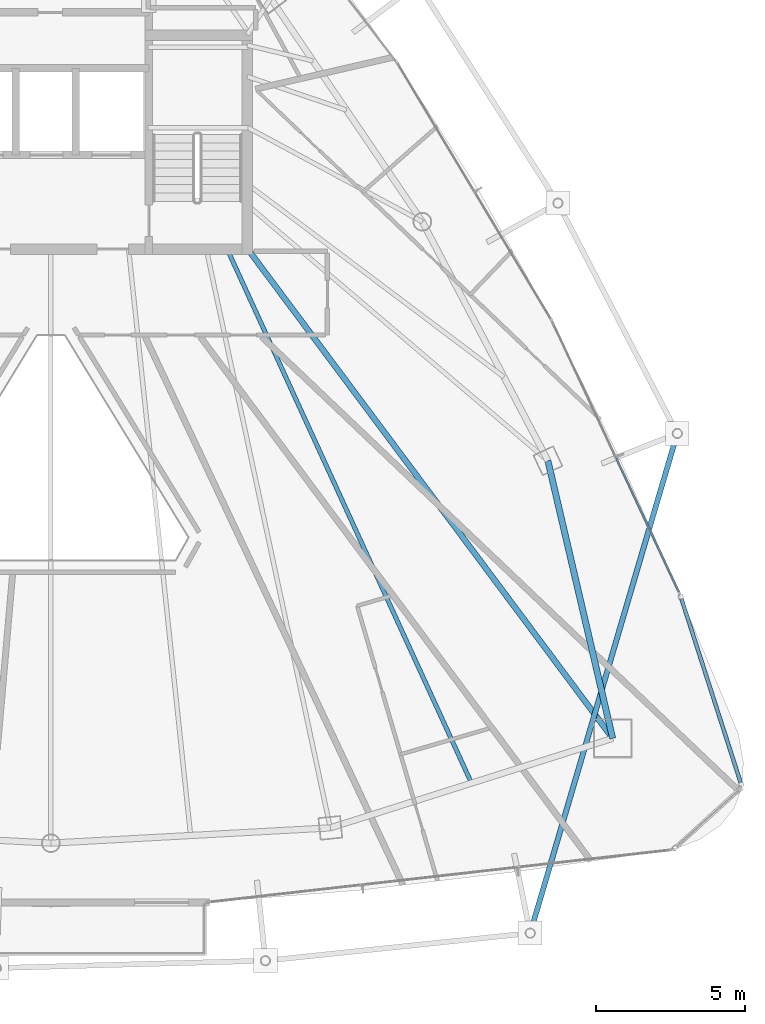
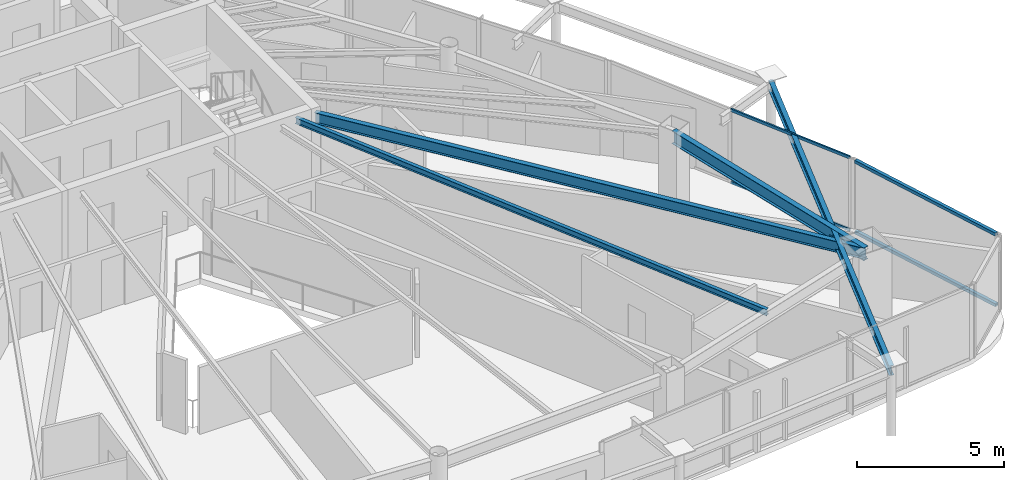
# One storey, part 16 of 32: 4 beams, 4 members, 2 elements without a shape of their own.
"""IFC4 building model written with IfcOpenShell, lengths in metres."""

from ifc_helpers import new_model, si_unit, direction, frame, origin, origin_2d, place, context, subcontext, project, spatial, hollow_rectangle, i_section, extrude, material, layer, layer_set, material_profile, profile_set, type_object, element, aggregate, save


model = new_model("IFC4")

# Units and contexts
model_context = context("Model", 3, precision=1e-05, world=origin(), true_north=direction((0.0, 1.0)))
body_context = subcontext(model_context, "Body", "Model", "MODEL_VIEW")
ifc_project = project(units=[si_unit("LENGTHUNIT", "METRE"), si_unit("AREAUNIT", "SQUARE_METRE"), si_unit("VOLUMEUNIT", "CUBIC_METRE"), si_unit("PLANEANGLEUNIT", "RADIAN"), si_unit("MASSUNIT", "GRAM", prefix="KILO")], contexts=[model_context])

# Site, building, storey
site_placement = place(None, origin())
site = spatial("IfcSite", under=ifc_project, at=site_placement, CompositionType="ELEMENT")
building_placement = place(site_placement, origin())
building = spatial("IfcBuilding", under=site, at=building_placement, Name="Orvanel Arch Residences", CompositionType="ELEMENT")
storey_placement = place(building_placement, frame((0.0, 0.0, 222.800048828125)))
storey = spatial("IfcBuildingStorey", under=building, at=storey_placement, Name="L63", CompositionType="ELEMENT", Elevation=222.800048828125)

# Beams
ifc_material_1 = material(Name="Structural steel AS/NZS 3679.1 Grade 300 (300 MPa)", Category="steel")
ifc_material_profile_1 = material_profile(ifc_material_1, i_section(OverallWidth=0.19091796875, OverallDepth=0.4599609375, WebThickness=0.010009765625, FlangeThickness=0.01611328125, at=origin_2d()), Name="460UB82.1")
ifc_profile_set_1 = profile_set([ifc_material_profile_1], Name="Structural steel AS/NZS 3679.1 Grade 300 (300 MPa)")
beam_type_1 = type_object("IfcBeamType", Name="BG-460UB", PredefinedType="BEAM", material=ifc_profile_set_1)
beam_1_placement = place(storey_placement, frame((39.625, 26.675048828125, 2.829833984375), z_axis=(0.597893733742, -0.801575375839, 0.0), x_axis=(0.801575375839, 0.597893733742, 0.0)))
element("IfcBeam", 1, at=beam_1_placement, inside=storey, type_object=beam_type_1, Name="L63 South-East Radial Girder", PredefinedType="BEAM", context=body_context, shape_type="SweptSolid", body=[
    extrude(i_section(OverallWidth=0.19091796875, OverallDepth=0.4599609375, WebThickness=0.010009765625, FlangeThickness=0.01611328125, at=origin_2d()), origin(), (0.0, 0.0, 1.0), 20.36474609375),
])
ifc_material_profile_2 = material_profile(ifc_material_1, i_section(OverallWidth=0.14599609375, OverallDepth=0.251953125, WebThickness=0.006103515625, FlangeThickness=0.008544921875, at=origin_2d()), Name="250UB31.4")
ifc_profile_set_2 = profile_set([ifc_material_profile_2], Name="Structural steel AS/NZS 3679.1 Grade 300 (300 MPa)")
beam_type_2 = type_object("IfcBeamType", Name="BJ-250UB", PredefinedType="JOIST", material=ifc_profile_set_2)
beam_2_placement = place(storey_placement, frame((38.89990234375, 26.72509765625, 2.933837890625), z_axis=(0.416009574066, -0.909360233508, 0.0), x_axis=(0.909360233508, 0.416009574066, 0.0)))
element("IfcBeam", 2, at=beam_2_placement, inside=storey, type_object=beam_type_2, Name="L63 JADD2 Wing Floor Joist", PredefinedType="JOIST", context=body_context, shape_type="SweptSolid", body=[
    extrude(i_section(OverallWidth=0.14599609375, OverallDepth=0.251953125, WebThickness=0.006103515625, FlangeThickness=0.008544921875, at=origin_2d()), origin(), (0.0, 0.0, 1.0), 19.653564453125),
])
ifc_material_profile_3 = material_profile(ifc_material_1, i_section(OverallWidth=0.177978515625, OverallDepth=0.406005859375, WebThickness=0.0078125, FlangeThickness=0.0126953125, at=origin_2d()), Name="410UB59.7")
ifc_profile_set_3 = profile_set([ifc_material_profile_3], Name="Structural steel AS/NZS 3679.1 Grade 300 (300 MPa)")
beam_type_3 = type_object("IfcBeamType", Name="OB-410UB-EXT", PredefinedType="SPANDREL", material=ifc_profile_set_3)
beam_3_placement = place(storey_placement, frame((49.0400390625, 3.83203125, 2.85693359375), z_axis=(0.282380884619, 0.959302369434, 0.0), x_axis=(-0.959302369434, 0.282380884619, 0.0)))
element("IfcBeam", 3, at=beam_3_placement, inside=storey, type_object=beam_type_3, Name="L63 Outer Perimeter Floor Ring Beam 08", PredefinedType="SPANDREL", context=body_context, shape_type="SweptSolid", body=[
    extrude(i_section(OverallWidth=0.177978515625, OverallDepth=0.406005859375, WebThickness=0.0078125, FlangeThickness=0.0126953125, at=origin_2d()), origin(), (0.0, 0.0, 1.0), 17.433349609375),
])
ifc_material_profile_4 = material_profile(ifc_material_1, i_section(OverallWidth=0.208984375, OverallDepth=0.532958984375, WebThickness=0.01025390625, FlangeThickness=0.015625, at=origin_2d()), Name="530UB92.4")
ifc_profile_set_4 = profile_set([ifc_material_profile_4], Name="Structural steel AS/NZS 3679.1 Grade 300 (300 MPa)")
beam_type_4 = type_object("IfcBeamType", Name="SP-530UB", PredefinedType="SPANDREL", material=ifc_profile_set_4)
beam_4_placement = place(storey_placement, frame((51.801025390625, 10.35107421875, 2.7939453125), z_axis=(-0.227236087167, 0.973839699688, 0.0), x_axis=(-0.973839699688, -0.227236087167, 0.0)))
element("IfcBeam", 4, at=beam_4_placement, inside=storey, type_object=beam_type_4, Name="L63 Perimeter Spandrel Beam 06", PredefinedType="SPANDREL", context=body_context, shape_type="SweptSolid", body=[
    extrude(i_section(OverallWidth=0.208984375, OverallDepth=0.532958984375, WebThickness=0.01025390625, FlangeThickness=0.015625, at=origin_2d()), origin(), (0.0, 0.0, 1.0), 9.54052734375),
])

# Curtain wall, members
ifc_material_2 = material(Name="Bronze-anodised aluminium AA6063-T6", Category="aluminium")
ifc_layer_1 = layer(ifc_material_2, 0.175048828125)
ifc_layer_set_1 = layer_set([ifc_layer_1], Name="Bronze-anodised aluminium AA6063-T6")
curtain_wall_type_1 = type_object("IfcCurtainWallType", Name="CW4-HI-SYS", PredefinedType="NOTDEFINED", material=ifc_layer_set_1)
curtain_wall_1_placement = place(storey_placement, origin())
curtain_wall_1 = element("IfcCurtainWall", 5, at=curtain_wall_1_placement, inside=storey, type_object=curtain_wall_type_1, Name="L63 CW4-HI-SYS Unitised Curtain Wall", PredefinedType="NOTDEFINED")
ifc_material_profile_5 = material_profile(ifc_material_2, hollow_rectangle(XDim=0.06005859375, YDim=0.1201171875, WallThickness=0.00341796875, at=origin_2d()), Name="ALU120x60x3.5")
ifc_profile_set_5 = profile_set([ifc_material_profile_5], Name="Bronze-anodised aluminium AA6063-T6")
member_type_1 = type_object("IfcMemberType", Name="TRN-120x60", PredefinedType="USERDEFINED", material=ifc_profile_set_5)
member_1_placement = place(storey_placement, frame((54.016357421875, 15.2548828125, 0.030029296875), z_axis=(-0.424084210865, 0.905622759263, 0.0), x_axis=(-0.905622759263, -0.424084210865, 0.0)))
member_1 = element("IfcMember", 6, at=member_1_placement, type_object=member_type_1, Name="CW-S4 transom 1.1", ObjectType="TRANSOM", PredefinedType="USERDEFINED", context=body_context, shape_type="SweptSolid", body=[
    extrude(hollow_rectangle(XDim=0.06005859375, YDim=0.1201171875, WallThickness=0.00341796875, at=origin_2d()), origin(), (0.0, 0.0, 1.0), 4.937744140625),
])
member_2_placement = place(storey_placement, frame((54.016357421875, 15.2548828125, 3.030029296875), z_axis=(-0.424084210865, 0.905622759263, 0.0), x_axis=(-0.905622759263, -0.424084210865, 0.0)))
member_2 = element("IfcMember", 7, at=member_2_placement, type_object=member_type_1, Name="CW-S4 transom 1.2", ObjectType="TRANSOM", PredefinedType="USERDEFINED", context=body_context, shape_type="SweptSolid", body=[
    extrude(hollow_rectangle(XDim=0.06005859375, YDim=0.1201171875, WallThickness=0.00341796875, at=origin_2d()), origin(), (0.0, 0.0, 1.0), 4.937744140625),
])
aggregate(curtain_wall_1, [member_1, member_2])

ifc_layer_2 = layer(ifc_material_2, 0.18994140625)
ifc_layer_set_2 = layer_set([ifc_layer_2], Name="Bronze-anodised aluminium AA6063-T6")
curtain_wall_type_2 = type_object("IfcCurtainWallType", Name="CW5-CRN-SYS", PredefinedType="NOTDEFINED", material=ifc_layer_set_2)
curtain_wall_2_placement = place(storey_placement, origin())
curtain_wall_2 = element("IfcCurtainWall", 8, at=curtain_wall_2_placement, inside=storey, type_object=curtain_wall_type_2, Name="L63 CW5-CRN-SYS Unitised Curtain Wall", PredefinedType="NOTDEFINED")
ifc_material_profile_6 = material_profile(ifc_material_2, hollow_rectangle(XDim=0.1298828125, YDim=0.1298828125, WallThickness=0.00439453125, at=origin_2d()), Name="ALU130x130x4.5")
ifc_profile_set_6 = profile_set([ifc_material_profile_6], Name="Bronze-anodised aluminium AA6063-T6")
member_type_2 = type_object("IfcMemberType", Name="TRN-130x130", PredefinedType="USERDEFINED", material=ifc_profile_set_6)
member_3_placement = place(storey_placement, frame((56.080078125, 8.8818359375, 0.06494140625), z_axis=(-0.306619789798, 0.951832077892, 0.0), x_axis=(-0.951832077892, -0.306619789798, 0.0)))
member_3 = element("IfcMember", 9, at=member_3_placement, type_object=member_type_2, Name="CW-S5 transom 1.1", ObjectType="TRANSOM", PredefinedType="USERDEFINED", context=body_context, shape_type="SweptSolid", body=[
    extrude(hollow_rectangle(XDim=0.1298828125, YDim=0.1298828125, WallThickness=0.00439453125, at=origin_2d()), origin(), (0.0, 0.0, 1.0), 6.44482421875),
])
member_4_placement = place(storey_placement, frame((56.080078125, 8.8818359375, 2.994873046875), z_axis=(-0.306619789798, 0.951832077892, 0.0), x_axis=(-0.951832077892, -0.306619789798, 0.0)))
member_4 = element("IfcMember", 10, at=member_4_placement, type_object=member_type_2, Name="CW-S5 transom 1.2", ObjectType="TRANSOM", PredefinedType="USERDEFINED", context=body_context, shape_type="SweptSolid", body=[
    extrude(hollow_rectangle(XDim=0.1298828125, YDim=0.1298828125, WallThickness=0.00439453125, at=origin_2d()), origin(), (0.0, 0.0, 1.0), 6.44482421875),
])
aggregate(curtain_wall_2, [member_3, member_4])

save(model, "model.ifc")
